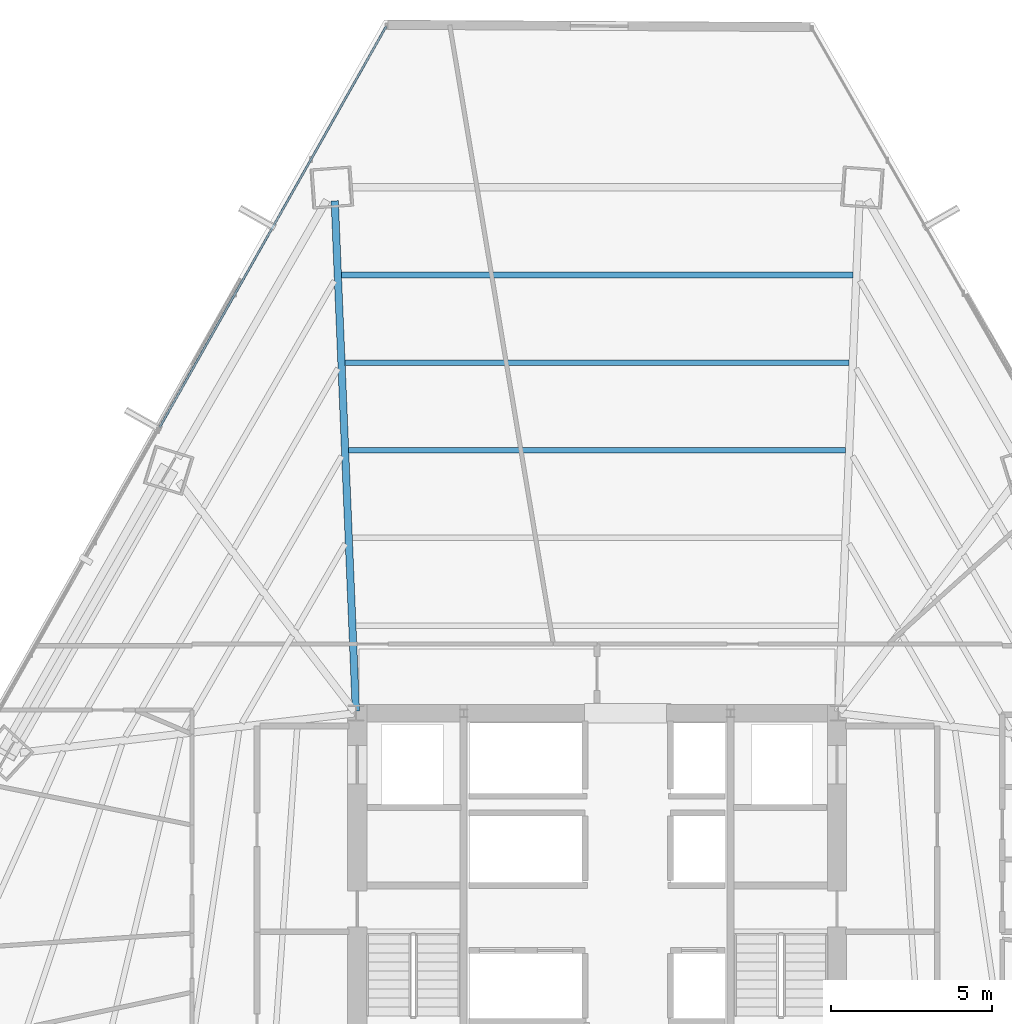
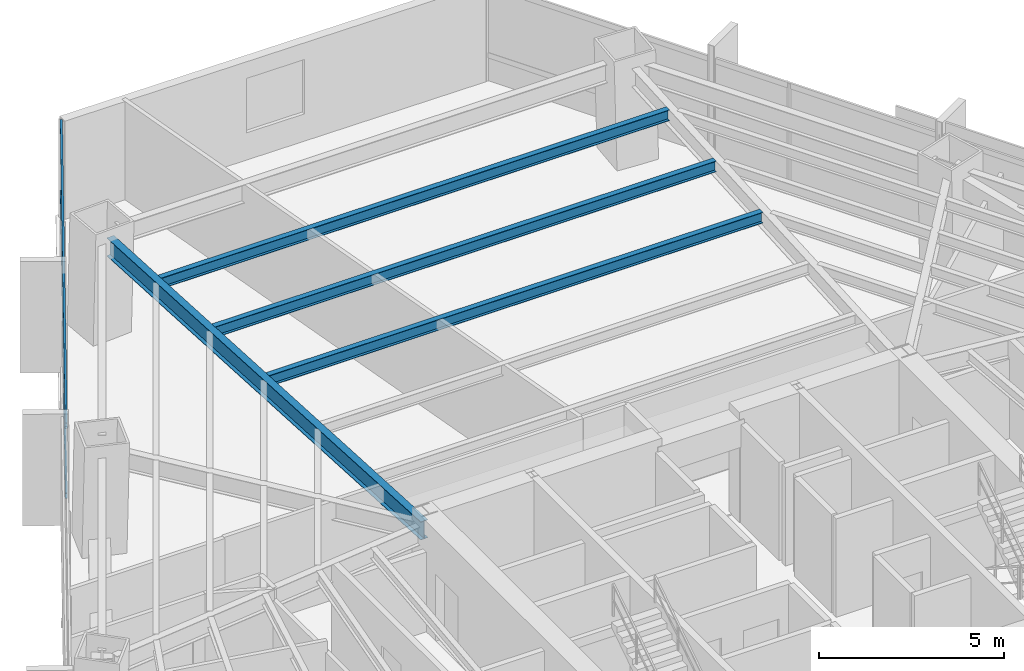
# One storey, part 26 of 39: 4 beams, 2 members, 1 element without a shape of its own.
"""IFC4 building model written with IfcOpenShell, lengths in metres."""

from ifc_helpers import new_model, si_unit, direction, frame, origin, origin_2d, place, context, subcontext, project, spatial, hollow_rectangle, i_section, extrude, source, transform, mapped, material, material_profile, profile_set, type_object, type_shapes, element, aggregate, save


model = new_model("IFC4")

# Units and contexts
model_context = context("Model", 3, precision=1e-05, world=origin(), true_north=direction((0.0, 1.0)))
body_context = subcontext(model_context, "Body", "Model", "MODEL_VIEW")
ifc_project = project(units=[si_unit("LENGTHUNIT", "METRE"), si_unit("AREAUNIT", "SQUARE_METRE"), si_unit("VOLUMEUNIT", "CUBIC_METRE"), si_unit("PLANEANGLEUNIT", "RADIAN"), si_unit("MASSUNIT", "GRAM", prefix="KILO")], contexts=[model_context])

# Site, building, storey
site_placement = place(None, origin())
site = spatial("IfcSite", under=ifc_project, at=site_placement, CompositionType="ELEMENT")
building_placement = place(site_placement, origin())
building = spatial("IfcBuilding", under=site, at=building_placement, Name="Caelisora Broadcast Tower", CompositionType="ELEMENT")
storey_placement = place(building_placement, frame((0.0, 0.0, 71.39990234375)))
storey = spatial("IfcBuildingStorey", under=building, at=storey_placement, Name="L18", CompositionType="ELEMENT", Elevation=71.39990234375)

# Beams
ifc_material_1 = material(Name="Steel Grade 350 (AS/NZS 3679.1)", Category="steel")
ifc_material_profile_1 = material_profile(ifc_material_1, i_section(OverallWidth=0.22802734375, OverallDepth=0.602294921875, WebThickness=0.010498046875, FlangeThickness=0.014892578125, at=origin_2d()), Name="Steel Grade 350 (AS/NZS 3679.1)")
ifc_profile_set_1 = profile_set([ifc_material_profile_1], Name="Steel Grade 350 (AS/NZS 3679.1)")
beam_type_1 = type_object("IfcBeamType", Name="PG04", PredefinedType="BEAM", material=ifc_profile_set_1)
shared_shape_1 = source(origin(), body_context, "Body", "SweptSolid", [
    extrude(i_section(OverallWidth=0.22802734375, OverallDepth=0.602294921875, WebThickness=0.010498046875, FlangeThickness=0.014892578125, at=origin_2d()), origin(), (0.0, 0.0, 1.0), 15.8896484375),
])
type_shapes(beam_type_1, [shared_shape_1])
beam_1_placement = place(storey_placement, frame((30.49755859375, 30.059814453125, 2.948974609375), z_axis=(-0.041423478617, 0.999141679352, 0.0), x_axis=(-0.999141679352, -0.041423478617, 0.0)))
element("IfcBeam", 1, at=beam_1_placement, inside=storey, type_object=beam_type_1, Name="L18 beam PG04", PredefinedType="BEAM", context=body_context, shape_type="MappedRepresentation", body=[
    mapped(shared_shape_1, transform((0.0, 0.0, 0.0), scale=1.0)),
])
ifc_material_profile_2 = material_profile(ifc_material_1, i_section(OverallWidth=0.172119140625, OverallDepth=0.358642578125, WebThickness=0.008056640625, FlangeThickness=0.012939453125, at=origin_2d()), Name="Steel Grade 350 (AS/NZS 3679.1)")
ifc_profile_set_2 = profile_set([ifc_material_profile_2], Name="Steel Grade 350 (AS/NZS 3679.1)")
beam_type_2 = type_object("IfcBeamType", Name="SB02", PredefinedType="JOIST", material=ifc_profile_set_2)
shared_shape_2 = source(origin(), body_context, "Body", "SweptSolid", [
    extrude(i_section(OverallWidth=0.172119140625, OverallDepth=0.358642578125, WebThickness=0.008056640625, FlangeThickness=0.012939453125, at=origin_2d()), origin(), (0.0, 0.0, 1.0), 15.45556640625),
])
beam_2_placement = place(storey_placement, frame((45.727783203125, 38.177734375, 3.07080078125), z_axis=(-1.0, 0.0, 0.0), x_axis=(0.0, -1.0, 0.0)))
element("IfcBeam", 2, at=beam_2_placement, inside=storey, type_object=beam_type_2, Name="L18 beam SB02", PredefinedType="JOIST", context=body_context, shape_type="MappedRepresentation", body=[
    mapped(shared_shape_2, transform((0.0, 0.0, 0.0), scale=1.0)),
])
shared_shape_3 = source(origin(), body_context, "Body", "SweptSolid", [
    extrude(i_section(OverallWidth=0.172119140625, OverallDepth=0.358642578125, WebThickness=0.008056640625, FlangeThickness=0.012939453125, at=origin_2d()), origin(), (0.0, 0.0, 1.0), 15.681640625),
])
beam_3_placement = place(storey_placement, frame((45.8408203125, 40.90380859375, 3.07080078125), z_axis=(-1.0, 0.0, 0.0), x_axis=(0.0, -1.0, 0.0)))
element("IfcBeam", 3, at=beam_3_placement, inside=storey, type_object=beam_type_2, Name="L18 beam SB02", PredefinedType="JOIST", context=body_context, shape_type="MappedRepresentation", body=[
    mapped(shared_shape_3, transform((0.0, 0.0, 0.0), scale=1.0)),
])
shared_shape_4 = source(origin(), body_context, "Body", "SweptSolid", [
    extrude(i_section(OverallWidth=0.172119140625, OverallDepth=0.358642578125, WebThickness=0.008056640625, FlangeThickness=0.012939453125, at=origin_2d()), origin(), (0.0, 0.0, 1.0), 15.90771484375),
])
type_shapes(beam_type_2, [shared_shape_2, shared_shape_3, shared_shape_4])
beam_4_placement = place(storey_placement, frame((45.953857421875, 43.629638671875, 3.07080078125), z_axis=(-1.0, 0.0, 0.0), x_axis=(0.0, -1.0, 0.0)))
element("IfcBeam", 4, at=beam_4_placement, inside=storey, type_object=beam_type_2, Name="L18 beam SB02", PredefinedType="JOIST", context=body_context, shape_type="MappedRepresentation", body=[
    mapped(shared_shape_4, transform((0.0, 0.0, 0.0), scale=1.0)),
])

# Curtain wall, members
ifc_material_2 = material(Name="Unitised Aluminium and Low-E Glass Curtain Wall", Category="glass")
curtain_wall_type = type_object("IfcCurtainWallType", Name="CW-Z1", PredefinedType="NOTDEFINED", material=ifc_material_2)
curtain_wall_placement = place(storey_placement, origin())
curtain_wall = element("IfcCurtainWall", 5, at=curtain_wall_placement, inside=storey, type_object=curtain_wall_type, Name="L18 curtain wall CW-Z1", PredefinedType="NOTDEFINED")
ifc_material_3 = material(Name="Aluminium 6063-T6 Anodised Terracotta Bronze", Category="aluminium")
ifc_material_profile_3 = material_profile(ifc_material_3, hollow_rectangle(XDim=0.06494140625, YDim=0.179931640625, WallThickness=0.00341796875, at=origin_2d()), Name="Aluminium 6063-T6 Anodised Terracotta Bronze")
ifc_profile_set_3 = profile_set([ifc_material_profile_3], Name="Aluminium 6063-T6 Anodised Terracotta Bronze")
member_type = type_object("IfcMemberType", Name="CWT-01", PredefinedType="USERDEFINED", material=ifc_profile_set_3)
shared_shape_5 = source(origin(), body_context, "Body", "SweptSolid", [
    extrude(hollow_rectangle(XDim=0.06494140625, YDim=0.179931640625, WallThickness=0.00341796875, at=origin_2d()), origin(), (0.0, 0.0, 1.0), 14.326904296875),
])
type_shapes(member_type, [shared_shape_5])
member_1_placement = place(storey_placement, frame((24.395263671875, 38.8935546875, 0.85009765625), z_axis=(0.491880931079, 0.870662477451, 0.0), x_axis=(-0.870662477451, 0.491880931079, 0.0)))
member_1 = element("IfcMember", 6, at=member_1_placement, type_object=member_type, Name="L18-CW-B11 transom #1", ObjectType="TRANSOM", PredefinedType="USERDEFINED", context=body_context, shape_type="MappedRepresentation", body=[
    mapped(shared_shape_5, transform((0.0, 0.0, 0.0), scale=1.0)),
])
member_2_placement = place(storey_placement, frame((24.395263671875, 38.8935546875, 3.170166015625), z_axis=(0.491880931079, 0.870662477451, 0.0), x_axis=(-0.870662477451, 0.491880931079, 0.0)))
member_2 = element("IfcMember", 7, at=member_2_placement, type_object=member_type, Name="L18-CW-B11 transom #2", ObjectType="TRANSOM", PredefinedType="USERDEFINED", context=body_context, shape_type="MappedRepresentation", body=[
    mapped(shared_shape_5, transform((0.0, 0.0, 0.0), scale=1.0)),
])
aggregate(curtain_wall, [member_1, member_2])

save(model, "model.ifc")
